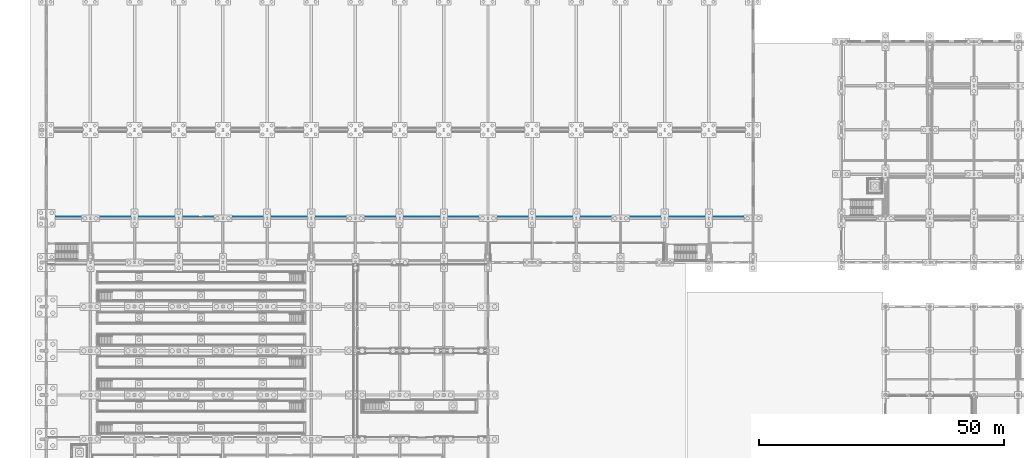
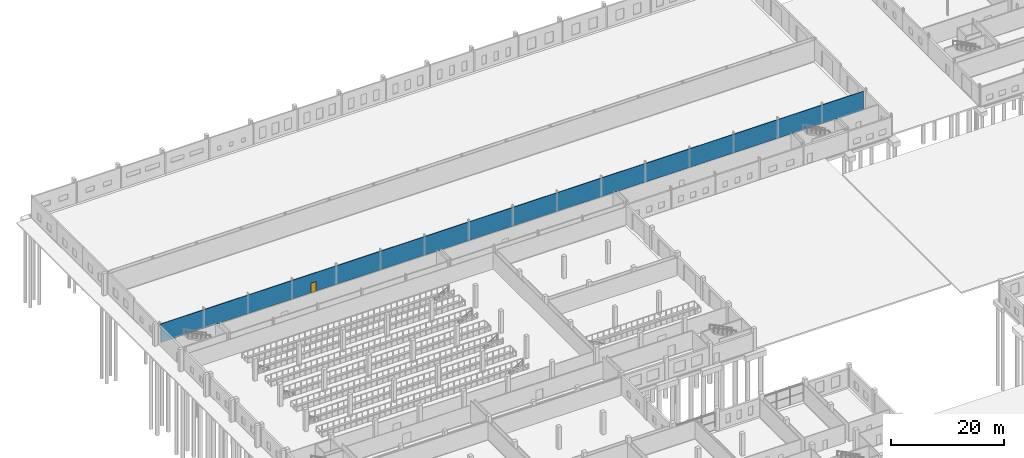
# One storey, part 71 of 112: 1 door, 1 wall, 1 opening.
"""IFC4 building model written with IfcOpenShell, lengths in metres."""

from ifc_helpers import new_model, si_unit, direction, frame, frame_2d, origin, place, context, subcontext, project, spatial, rectangle, extrude, material, layer, layer_set, type_object, element, fill, save


model = new_model("IFC4")

# Units and contexts
model_context = context("Model", 3, precision=1e-05, world=origin(), true_north=direction((0.0, 1.0)))
body_context = subcontext(model_context, "Body", "Model", "MODEL_VIEW")
ifc_project = project(units=[si_unit("LENGTHUNIT", "METRE"), si_unit("AREAUNIT", "SQUARE_METRE"), si_unit("VOLUMEUNIT", "CUBIC_METRE"), si_unit("PLANEANGLEUNIT", "RADIAN"), si_unit("MASSUNIT", "GRAM", prefix="KILO")], contexts=[model_context])

# Site, building, storey
site_placement = place(None, origin())
site = spatial("IfcSite", under=ifc_project, at=site_placement, CompositionType="ELEMENT")
building_placement = place(site_placement, origin())
building = spatial("IfcBuilding", under=site, at=building_placement, Name="Tharagai Park Tramway Depot", CompositionType="ELEMENT")
storey_placement = place(building_placement, origin())
storey = spatial("IfcBuildingStorey", under=building, at=storey_placement, Name="L00", CompositionType="ELEMENT", Elevation=0.0)

# Wall, opening, door
ifc_material_1 = material(Name="Gypsum board", Category="gypsum")
ifc_layer = layer(ifc_material_1, 0.1201171875)
ifc_layer_set = layer_set([ifc_layer], Name="Gypsum board")
wall_type = type_object("IfcWallType", Name="IW-03", PredefinedType="PARTITIONING", material=ifc_layer_set)
wall_placement = place(storey_placement, frame((0.39990234375, 99.300048828125, 0.0), z_axis=(0.0, 0.0, 1.0), x_axis=(1.0, 0.0, 0.0)))
wall = element("IfcWall", 1, at=wall_placement, inside=storey, type_object=wall_type, Name="Depot Stabling Shed South Tracks Partition South", PredefinedType="PARTITIONING", context=body_context, shape_type="SweptSolid", body=[
    extrude(rectangle(XDim=143.2001953125, YDim=0.1201171875, at=frame_2d((71.60009765625, 0.0))), origin(), (0.0, 0.0, 1.0), 4.014892578125),
])
opening_placement = place(wall_placement, frame((30.610107421875, 0.0, 0.0)))
opening = element("IfcOpeningElement", 2, at=opening_placement, cuts=wall, Name="Opening ID-02", PredefinedType="OPENING", context=body_context, shape_type="SweptSolid", body=[
    extrude(rectangle(XDim=0.97998046875, YDim=2.080078125, at=frame_2d((0.489990234375, 1.0400390625))), frame((0.0, 0.070068359375, 0.0), z_axis=(0.0, -1.0, 0.0), x_axis=(1.0, 0.0, 0.0)), (0.0, 0.0, 1.0), 0.14013671875),
])
ifc_material_2 = material(Name="Pressed timber", Category="wood")
door_type = type_object("IfcDoorType", Name="ID-02", OperationType="NOTDEFINED", PredefinedType="DOOR", material=ifc_material_2)
door_placement = place(opening_placement, frame((0.97998046875, 0.0, 0.0), z_axis=(0.0, 0.0, 1.0), x_axis=(-1.0, 0.0, 0.0)))
door = element("IfcDoor", 3, at=door_placement, inside=storey, type_object=door_type, Name="Depot Stabling Shed South Tracks Door", OperationType="SINGLE_SWING_RIGHT", OverallHeight=2.080078125, OverallWidth=0.97998046875, PredefinedType="DOOR", context=body_context, shape_type="SweptSolid", body=[
    extrude(rectangle(XDim=0.97998046875, YDim=2.080078125, at=frame_2d((0.489990234375, 1.0400390625))), frame((0.0, 0.02490234375, 0.0), z_axis=(0.0, -1.0, 0.0), x_axis=(1.0, 0.0, 0.0)), (0.0, 0.0, 1.0), 0.050048828125),
])
fill(opening, door)

save(model, "model.ifc")
